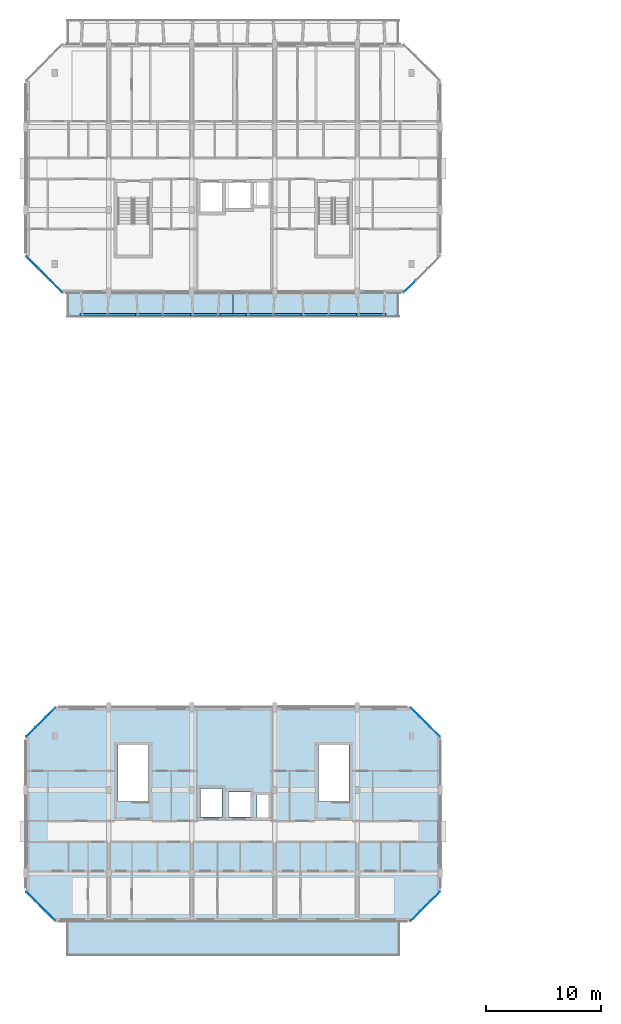
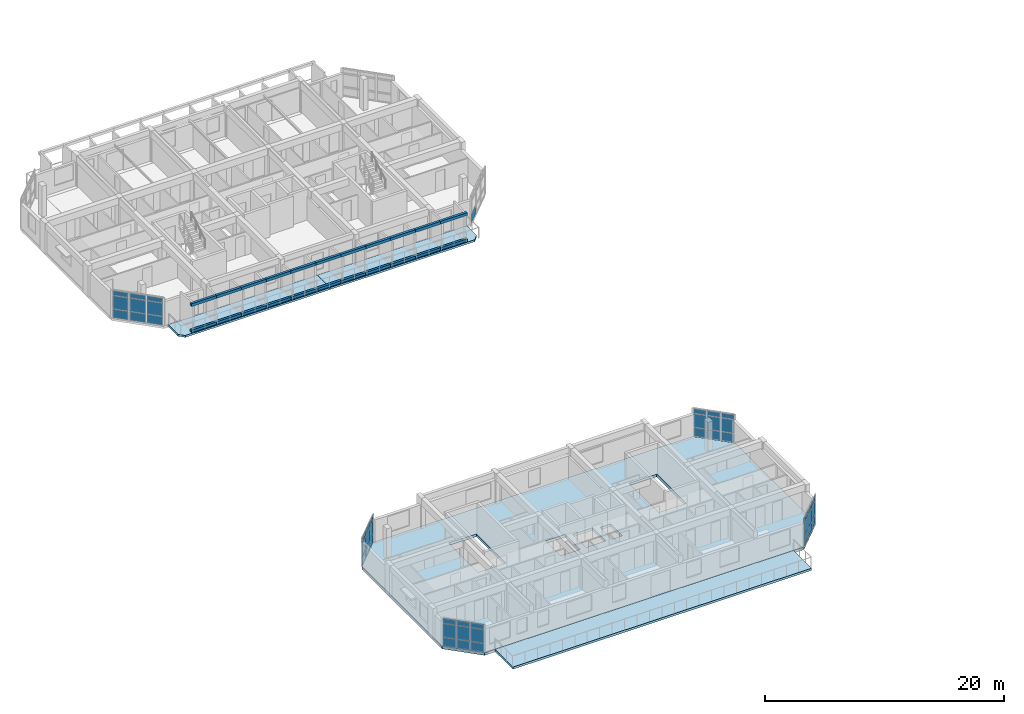
# One storey, part 11 of 40: 68 plates, 4 slabs, 6 elements without a shape of their own.
"""IFC4 building model written with IfcOpenShell, lengths in metres."""

from ifc_helpers import new_model, si_unit, direction, frame, origin, origin_2d, place, context, subcontext, project, spatial, polyline, rectangle, outline, extrude, material, layer, layer_set, type_object, element, aggregate, save


model = new_model("IFC4")

# Units and contexts
model_context = context("Model", 3, precision=1e-05, world=origin(), true_north=direction((0.0, 1.0)))
body_context = subcontext(model_context, "Body", "Model", "MODEL_VIEW")
ifc_project = project(units=[si_unit("LENGTHUNIT", "METRE"), si_unit("AREAUNIT", "SQUARE_METRE"), si_unit("VOLUMEUNIT", "CUBIC_METRE"), si_unit("PLANEANGLEUNIT", "RADIAN"), si_unit("MASSUNIT", "GRAM", prefix="KILO")], contexts=[model_context])

# Site, building, storey
site_placement = place(None, origin())
site = spatial("IfcSite", under=ifc_project, at=site_placement, CompositionType="ELEMENT")
building_placement = place(site_placement, origin())
building = spatial("IfcBuilding", under=site, at=building_placement, Name="Ochrevale Crest", CompositionType="ELEMENT")
storey_placement = place(building_placement, frame((0.0, 0.0, 27.60009765625)))
storey = spatial("IfcBuildingStorey", under=building, at=storey_placement, Name="L08", CompositionType="ELEMENT", Elevation=27.60009765625)

# Curtain wall, plates
ifc_material_1 = material(Name="Anodised aluminium 6063-T5", Category="aluminium")
ifc_layer_1 = layer(ifc_material_1, 0.14990234375)
ifc_layer_set_1 = layer_set([ifc_layer_1], Name="Anodised aluminium 6063-T5")
curtain_wall_type_1 = type_object("IfcCurtainWallType", Name="CW-WG-240x285", PredefinedType="NOTDEFINED", material=ifc_layer_set_1)
curtain_wall_1_placement = place(storey_placement, origin())
curtain_wall_1 = element("IfcCurtainWall", 1, at=curtain_wall_1_placement, inside=storey, type_object=curtain_wall_type_1, Name="Block A L08 chamfered corner wintergarden curtain wall 2", PredefinedType="NOTDEFINED")
ifc_material_2 = material(Name="Double-glazed low-E insulated glass unit", Category="glass")
ifc_layer_2 = layer(ifc_material_2, 0.028076171875)
ifc_layer_set_2 = layer_set([ifc_layer_2], Name="Double-glazed low-E insulated glass unit")
plate_type_1 = type_object("IfcPlateType", Name="CW-PNL-IGU28", PredefinedType="CURTAIN_PANEL", material=ifc_layer_set_2)
plate_1_placement = place(storey_placement, frame((33.8466796875, 17.8466796875, 0.06005859375), z_axis=(0.0, 0.0, 1.0), x_axis=(0.707106781187, 0.707106781187, 0.0)))
plate_1 = element("IfcPlate", 2, at=plate_1_placement, type_object=plate_type_1, Name="CW15 panel 1.1", PredefinedType="CURTAIN_PANEL", context=body_context, shape_type="SweptSolid", body=[
    extrude(rectangle(XDim=1.113037109375, YDim=0.028076171875, at=origin_2d()), origin(), (0.0, 0.0, 1.0), 0.860107421875),
])
plate_2_placement = place(storey_placement, frame((33.8466796875, 17.8466796875, 0.979736328125), z_axis=(0.0, 0.0, 1.0), x_axis=(0.707106781187, 0.707106781187, 0.0)))
plate_2 = element("IfcPlate", 3, at=plate_2_placement, type_object=plate_type_1, Name="CW15 panel 1.2", PredefinedType="CURTAIN_PANEL", context=body_context, shape_type="SweptSolid", body=[
    extrude(rectangle(XDim=1.113037109375, YDim=0.028076171875, at=origin_2d()), origin(), (0.0, 0.0, 1.0), 1.35009765625),
])
plate_3_placement = place(storey_placement, frame((33.8466796875, 17.8466796875, 2.389892578125), z_axis=(0.0, 0.0, 1.0), x_axis=(0.707106781187, 0.707106781187, 0.0)))
plate_3 = element("IfcPlate", 4, at=plate_3_placement, type_object=plate_type_1, Name="CW15 panel 1.3", PredefinedType="CURTAIN_PANEL", context=body_context, shape_type="SweptSolid", body=[
    extrude(rectangle(XDim=1.113037109375, YDim=0.028076171875, at=origin_2d()), origin(), (0.0, 0.0, 1.0), 0.4599609375),
])
plate_4_placement = place(storey_placement, frame((34.699951171875, 18.699951171875, 0.06005859375), z_axis=(0.0, 0.0, 1.0), x_axis=(0.707106781187, 0.707106781187, 0.0)))
plate_4 = element("IfcPlate", 5, at=plate_4_placement, type_object=plate_type_1, Name="CW15 panel 2.1", PredefinedType="CURTAIN_PANEL", context=body_context, shape_type="SweptSolid", body=[
    extrude(rectangle(XDim=1.150634765625, YDim=0.028076171875, at=origin_2d()), origin(), (0.0, 0.0, 1.0), 0.860107421875),
])
plate_5_placement = place(storey_placement, frame((34.699951171875, 18.699951171875, 0.979736328125), z_axis=(0.0, 0.0, 1.0), x_axis=(0.707106781187, 0.707106781187, 0.0)))
plate_5 = element("IfcPlate", 6, at=plate_5_placement, type_object=plate_type_1, Name="CW15 panel 2.2", PredefinedType="CURTAIN_PANEL", context=body_context, shape_type="SweptSolid", body=[
    extrude(rectangle(XDim=1.150634765625, YDim=0.028076171875, at=origin_2d()), origin(), (0.0, 0.0, 1.0), 1.35009765625),
])
plate_6_placement = place(storey_placement, frame((34.699951171875, 18.699951171875, 2.389892578125), z_axis=(0.0, 0.0, 1.0), x_axis=(0.707106781187, 0.707106781187, 0.0)))
plate_6 = element("IfcPlate", 7, at=plate_6_placement, type_object=plate_type_1, Name="CW15 panel 2.3", PredefinedType="CURTAIN_PANEL", context=body_context, shape_type="SweptSolid", body=[
    extrude(rectangle(XDim=1.150634765625, YDim=0.028076171875, at=origin_2d()), origin(), (0.0, 0.0, 1.0), 0.4599609375),
])
plate_7_placement = place(storey_placement, frame((35.553466796875, 19.553466796875, 0.06005859375), z_axis=(0.0, 0.0, 1.0), x_axis=(0.707106781187, 0.707106781187, 0.0)))
plate_7 = element("IfcPlate", 8, at=plate_7_placement, type_object=plate_type_1, Name="CW15 panel 3.1", PredefinedType="CURTAIN_PANEL", context=body_context, shape_type="SweptSolid", body=[
    extrude(rectangle(XDim=1.113037109375, YDim=0.028076171875, at=origin_2d()), origin(), (0.0, 0.0, 1.0), 0.860107421875),
])
plate_8_placement = place(storey_placement, frame((35.553466796875, 19.553466796875, 0.979736328125), z_axis=(0.0, 0.0, 1.0), x_axis=(0.707106781187, 0.707106781187, 0.0)))
plate_8 = element("IfcPlate", 9, at=plate_8_placement, type_object=plate_type_1, Name="CW15 panel 3.2", PredefinedType="CURTAIN_PANEL", context=body_context, shape_type="SweptSolid", body=[
    extrude(rectangle(XDim=1.113037109375, YDim=0.028076171875, at=origin_2d()), origin(), (0.0, 0.0, 1.0), 1.35009765625),
])
plate_9_placement = place(storey_placement, frame((35.553466796875, 19.553466796875, 2.389892578125), z_axis=(0.0, 0.0, 1.0), x_axis=(0.707106781187, 0.707106781187, 0.0)))
plate_9 = element("IfcPlate", 10, at=plate_9_placement, type_object=plate_type_1, Name="CW15 panel 3.3", PredefinedType="CURTAIN_PANEL", context=body_context, shape_type="SweptSolid", body=[
    extrude(rectangle(XDim=1.113037109375, YDim=0.028076171875, at=origin_2d()), origin(), (0.0, 0.0, 1.0), 0.4599609375),
])
aggregate(curtain_wall_1, [plate_1, plate_2, plate_3, plate_4, plate_5, plate_6, plate_7, plate_8, plate_9])

ifc_layer_3 = layer(ifc_material_1, 0.14990234375)
ifc_layer_set_3 = layer_set([ifc_layer_3], Name="Anodised aluminium 6063-T5")
curtain_wall_type_2 = type_object("IfcCurtainWallType", Name="CW-WG-320x285", PredefinedType="NOTDEFINED", material=ifc_layer_set_3)
curtain_wall_2_placement = place(storey_placement, origin())
curtain_wall_2 = element("IfcCurtainWall", 11, at=curtain_wall_2_placement, inside=storey, type_object=curtain_wall_type_2, Name="Block A L08 chamfered corner wintergarden curtain wall 4", PredefinedType="NOTDEFINED")
plate_10_placement = place(storey_placement, frame((35.553466796875, 33.8466796875, 0.06005859375), z_axis=(0.0, 0.0, 1.0), x_axis=(-0.707106781187, 0.707106781187, 0.0)))
plate_10 = element("IfcPlate", 12, at=plate_10_placement, type_object=plate_type_1, Name="CW17 panel 1.1", PredefinedType="CURTAIN_PANEL", context=body_context, shape_type="SweptSolid", body=[
    extrude(rectangle(XDim=1.113037109375, YDim=0.028076171875, at=origin_2d()), origin(), (0.0, 0.0, 1.0), 0.860107421875),
])
plate_11_placement = place(storey_placement, frame((35.553466796875, 33.8466796875, 0.979736328125), z_axis=(0.0, 0.0, 1.0), x_axis=(-0.707106781187, 0.707106781187, 0.0)))
plate_11 = element("IfcPlate", 13, at=plate_11_placement, type_object=plate_type_1, Name="CW17 panel 1.2", PredefinedType="CURTAIN_PANEL", context=body_context, shape_type="SweptSolid", body=[
    extrude(rectangle(XDim=1.113037109375, YDim=0.028076171875, at=origin_2d()), origin(), (0.0, 0.0, 1.0), 1.35009765625),
])
plate_12_placement = place(storey_placement, frame((35.553466796875, 33.8466796875, 2.389892578125), z_axis=(0.0, 0.0, 1.0), x_axis=(-0.707106781187, 0.707106781187, 0.0)))
plate_12 = element("IfcPlate", 14, at=plate_12_placement, type_object=plate_type_1, Name="CW17 panel 1.3", PredefinedType="CURTAIN_PANEL", context=body_context, shape_type="SweptSolid", body=[
    extrude(rectangle(XDim=1.113037109375, YDim=0.028076171875, at=origin_2d()), origin(), (0.0, 0.0, 1.0), 0.4599609375),
])
plate_13_placement = place(storey_placement, frame((34.699951171875, 34.699951171875, 0.06005859375), z_axis=(0.0, 0.0, 1.0), x_axis=(-0.707106781187, 0.707106781187, 0.0)))
plate_13 = element("IfcPlate", 15, at=plate_13_placement, type_object=plate_type_1, Name="CW17 panel 2.1", PredefinedType="CURTAIN_PANEL", context=body_context, shape_type="SweptSolid", body=[
    extrude(rectangle(XDim=1.150634765625, YDim=0.028076171875, at=origin_2d()), origin(), (0.0, 0.0, 1.0), 0.860107421875),
])
plate_14_placement = place(storey_placement, frame((34.699951171875, 34.699951171875, 0.979736328125), z_axis=(0.0, 0.0, 1.0), x_axis=(-0.707106781187, 0.707106781187, 0.0)))
plate_14 = element("IfcPlate", 16, at=plate_14_placement, type_object=plate_type_1, Name="CW17 panel 2.2", PredefinedType="CURTAIN_PANEL", context=body_context, shape_type="SweptSolid", body=[
    extrude(rectangle(XDim=1.150634765625, YDim=0.028076171875, at=origin_2d()), origin(), (0.0, 0.0, 1.0), 1.35009765625),
])
plate_15_placement = place(storey_placement, frame((34.699951171875, 34.699951171875, 2.389892578125), z_axis=(0.0, 0.0, 1.0), x_axis=(-0.707106781187, 0.707106781187, 0.0)))
plate_15 = element("IfcPlate", 17, at=plate_15_placement, type_object=plate_type_1, Name="CW17 panel 2.3", PredefinedType="CURTAIN_PANEL", context=body_context, shape_type="SweptSolid", body=[
    extrude(rectangle(XDim=1.150634765625, YDim=0.028076171875, at=origin_2d()), origin(), (0.0, 0.0, 1.0), 0.4599609375),
])
plate_16_placement = place(storey_placement, frame((33.8466796875, 35.553466796875, 0.06005859375), z_axis=(0.0, 0.0, 1.0), x_axis=(-0.707106781187, 0.707106781187, 0.0)))
plate_16 = element("IfcPlate", 18, at=plate_16_placement, type_object=plate_type_1, Name="CW17 panel 3.1", PredefinedType="CURTAIN_PANEL", context=body_context, shape_type="SweptSolid", body=[
    extrude(rectangle(XDim=1.113037109375, YDim=0.028076171875, at=origin_2d()), origin(), (0.0, 0.0, 1.0), 0.860107421875),
])
plate_17_placement = place(storey_placement, frame((33.8466796875, 35.553466796875, 0.979736328125), z_axis=(0.0, 0.0, 1.0), x_axis=(-0.707106781187, 0.707106781187, 0.0)))
plate_17 = element("IfcPlate", 19, at=plate_17_placement, type_object=plate_type_1, Name="CW17 panel 3.2", PredefinedType="CURTAIN_PANEL", context=body_context, shape_type="SweptSolid", body=[
    extrude(rectangle(XDim=1.113037109375, YDim=0.028076171875, at=origin_2d()), origin(), (0.0, 0.0, 1.0), 1.35009765625),
])
plate_18_placement = place(storey_placement, frame((33.8466796875, 35.553466796875, 2.389892578125), z_axis=(0.0, 0.0, 1.0), x_axis=(-0.707106781187, 0.707106781187, 0.0)))
plate_18 = element("IfcPlate", 20, at=plate_18_placement, type_object=plate_type_1, Name="CW17 panel 3.3", PredefinedType="CURTAIN_PANEL", context=body_context, shape_type="SweptSolid", body=[
    extrude(rectangle(XDim=1.113037109375, YDim=0.028076171875, at=origin_2d()), origin(), (0.0, 0.0, 1.0), 0.4599609375),
])
aggregate(curtain_wall_2, [plate_10, plate_11, plate_12, plate_13, plate_14, plate_15, plate_16, plate_17, plate_18])

ifc_layer_4 = layer(ifc_material_1, 0.14990234375)
ifc_layer_set_4 = layer_set([ifc_layer_4], Name="Anodised aluminium 6063-T5")
curtain_wall_type_3 = type_object("IfcCurtainWallType", Name="CW-WG-420x285", PredefinedType="NOTDEFINED", material=ifc_layer_set_4)
curtain_wall_3_placement = place(storey_placement, origin())
curtain_wall_3 = element("IfcCurtainWall", 21, at=curtain_wall_3_placement, inside=storey, type_object=curtain_wall_type_3, Name="Block A L08 chamfered corner wintergarden curtain wall 6", PredefinedType="NOTDEFINED")
plate_19_placement = place(storey_placement, frame((2.1533203125, 35.553466796875, 0.06005859375), z_axis=(0.0, 0.0, 1.0), x_axis=(-0.707106781187, -0.707106781187, 0.0)))
plate_19 = element("IfcPlate", 22, at=plate_19_placement, type_object=plate_type_1, Name="CW22 panel 1.1", PredefinedType="CURTAIN_PANEL", context=body_context, shape_type="SweptSolid", body=[
    extrude(rectangle(XDim=1.113037109375, YDim=0.028076171875, at=origin_2d()), origin(), (0.0, 0.0, 1.0), 0.860107421875),
])
plate_20_placement = place(storey_placement, frame((2.1533203125, 35.553466796875, 0.979736328125), z_axis=(0.0, 0.0, 1.0), x_axis=(-0.707106781187, -0.707106781187, 0.0)))
plate_20 = element("IfcPlate", 23, at=plate_20_placement, type_object=plate_type_1, Name="CW22 panel 1.2", PredefinedType="CURTAIN_PANEL", context=body_context, shape_type="SweptSolid", body=[
    extrude(rectangle(XDim=1.113037109375, YDim=0.028076171875, at=origin_2d()), origin(), (0.0, 0.0, 1.0), 1.35009765625),
])
plate_21_placement = place(storey_placement, frame((2.1533203125, 35.553466796875, 2.389892578125), z_axis=(0.0, 0.0, 1.0), x_axis=(-0.707106781187, -0.707106781187, 0.0)))
plate_21 = element("IfcPlate", 24, at=plate_21_placement, type_object=plate_type_1, Name="CW22 panel 1.3", PredefinedType="CURTAIN_PANEL", context=body_context, shape_type="SweptSolid", body=[
    extrude(rectangle(XDim=1.113037109375, YDim=0.028076171875, at=origin_2d()), origin(), (0.0, 0.0, 1.0), 0.4599609375),
])
plate_22_placement = place(storey_placement, frame((1.300048828125, 34.699951171875, 0.06005859375), z_axis=(0.0, 0.0, 1.0), x_axis=(-0.707106781187, -0.707106781187, 0.0)))
plate_22 = element("IfcPlate", 25, at=plate_22_placement, type_object=plate_type_1, Name="CW22 panel 2.1", PredefinedType="CURTAIN_PANEL", context=body_context, shape_type="SweptSolid", body=[
    extrude(rectangle(XDim=1.150634765625, YDim=0.028076171875, at=origin_2d()), origin(), (0.0, 0.0, 1.0), 0.860107421875),
])
plate_23_placement = place(storey_placement, frame((1.300048828125, 34.699951171875, 0.979736328125), z_axis=(0.0, 0.0, 1.0), x_axis=(-0.707106781187, -0.707106781187, 0.0)))
plate_23 = element("IfcPlate", 26, at=plate_23_placement, type_object=plate_type_1, Name="CW22 panel 2.2", PredefinedType="CURTAIN_PANEL", context=body_context, shape_type="SweptSolid", body=[
    extrude(rectangle(XDim=1.150634765625, YDim=0.028076171875, at=origin_2d()), origin(), (0.0, 0.0, 1.0), 1.35009765625),
])
plate_24_placement = place(storey_placement, frame((1.300048828125, 34.699951171875, 2.389892578125), z_axis=(0.0, 0.0, 1.0), x_axis=(-0.707106781187, -0.707106781187, 0.0)))
plate_24 = element("IfcPlate", 27, at=plate_24_placement, type_object=plate_type_1, Name="CW22 panel 2.3", PredefinedType="CURTAIN_PANEL", context=body_context, shape_type="SweptSolid", body=[
    extrude(rectangle(XDim=1.150634765625, YDim=0.028076171875, at=origin_2d()), origin(), (0.0, 0.0, 1.0), 0.4599609375),
])
plate_25_placement = place(storey_placement, frame((0.446533203125, 33.8466796875, 0.06005859375), z_axis=(0.0, 0.0, 1.0), x_axis=(-0.707106781187, -0.707106781187, 0.0)))
plate_25 = element("IfcPlate", 28, at=plate_25_placement, type_object=plate_type_1, Name="CW22 panel 3.1", PredefinedType="CURTAIN_PANEL", context=body_context, shape_type="SweptSolid", body=[
    extrude(rectangle(XDim=1.113037109375, YDim=0.028076171875, at=origin_2d()), origin(), (0.0, 0.0, 1.0), 0.860107421875),
])
plate_26_placement = place(storey_placement, frame((0.446533203125, 33.8466796875, 0.979736328125), z_axis=(0.0, 0.0, 1.0), x_axis=(-0.707106781187, -0.707106781187, 0.0)))
plate_26 = element("IfcPlate", 29, at=plate_26_placement, type_object=plate_type_1, Name="CW22 panel 3.2", PredefinedType="CURTAIN_PANEL", context=body_context, shape_type="SweptSolid", body=[
    extrude(rectangle(XDim=1.113037109375, YDim=0.028076171875, at=origin_2d()), origin(), (0.0, 0.0, 1.0), 1.35009765625),
])
plate_27_placement = place(storey_placement, frame((0.446533203125, 33.8466796875, 2.389892578125), z_axis=(0.0, 0.0, 1.0), x_axis=(-0.707106781187, -0.707106781187, 0.0)))
plate_27 = element("IfcPlate", 30, at=plate_27_placement, type_object=plate_type_1, Name="CW22 panel 3.3", PredefinedType="CURTAIN_PANEL", context=body_context, shape_type="SweptSolid", body=[
    extrude(rectangle(XDim=1.113037109375, YDim=0.028076171875, at=origin_2d()), origin(), (0.0, 0.0, 1.0), 0.4599609375),
])
aggregate(curtain_wall_3, [plate_19, plate_20, plate_21, plate_22, plate_23, plate_24, plate_25, plate_26, plate_27])

# Curtain wall, plate
curtain_wall_4_placement = place(storey_placement, origin())
curtain_wall_4 = element("IfcCurtainWall", 31, at=curtain_wall_4_placement, inside=storey, type_object=curtain_wall_type_1, Name="Block B L08 chamfered corner wintergarden curtain wall 2", PredefinedType="NOTDEFINED")
plate_28_placement = place(storey_placement, frame((33.3466796875, 72.546630859375, 0.06005859375), z_axis=(0.0, 0.0, 1.0), x_axis=(0.707106781187, 0.707106781187, 0.0)))
plate_28 = element("IfcPlate", 32, at=plate_28_placement, type_object=plate_type_1, Name="CW15 panel 1.1", PredefinedType="CURTAIN_PANEL", context=body_context, shape_type="SweptSolid", body=[
    extrude(rectangle(XDim=1.39599609375, YDim=0.028076171875, at=origin_2d()), origin(), (0.0, 0.0, 1.0), 0.860107421875),
])
aggregate(curtain_wall_4, [plate_28])

# Curtain wall, plates
ifc_layer_5 = layer(ifc_material_1, 0.14990234375)
ifc_layer_set_5 = layer_set([ifc_layer_5], Name="Anodised aluminium 6063-T5")
curtain_wall_type_4 = type_object("IfcCurtainWallType", Name="CW-WG-280x285", PredefinedType="NOTDEFINED", material=ifc_layer_set_5)
curtain_wall_5_placement = place(storey_placement, origin())
curtain_wall_5 = element("IfcCurtainWall", 33, at=curtain_wall_5_placement, inside=storey, type_object=curtain_wall_type_4, Name="Block A L08 chamfered corner wintergarden curtain wall 8", PredefinedType="NOTDEFINED")
ifc_material_3 = material(Name="Acoustic laminated low-E insulated glass unit", Category="glass")
ifc_layer_6 = layer(ifc_material_3, 0.0380859375)
ifc_layer_set_6 = layer_set([ifc_layer_6], Name="Acoustic laminated low-E insulated glass unit")
plate_type_2 = type_object("IfcPlateType", Name="CW-PNL-IGU38", PredefinedType="CURTAIN_PANEL", material=ifc_layer_set_6)
plate_29_placement = place(storey_placement, frame((0.446533203125, 19.553466796875, 0.06005859375), z_axis=(0.0, 0.0, 1.0), x_axis=(0.707106781187, -0.707106781187, 0.0)))
plate_29 = element("IfcPlate", 34, at=plate_29_placement, type_object=plate_type_2, Name="CW16 panel 1.1", PredefinedType="CURTAIN_PANEL", context=body_context, shape_type="SweptSolid", body=[
    extrude(rectangle(XDim=1.113037109375, YDim=0.0380859375, at=origin_2d()), origin(), (0.0, 0.0, 1.0), 0.860107421875),
])
plate_30_placement = place(storey_placement, frame((0.446533203125, 19.553466796875, 0.979736328125), z_axis=(0.0, 0.0, 1.0), x_axis=(0.707106781187, -0.707106781187, 0.0)))
plate_30 = element("IfcPlate", 35, at=plate_30_placement, type_object=plate_type_2, Name="CW16 panel 1.2", PredefinedType="CURTAIN_PANEL", context=body_context, shape_type="SweptSolid", body=[
    extrude(rectangle(XDim=1.113037109375, YDim=0.0380859375, at=origin_2d()), origin(), (0.0, 0.0, 1.0), 1.35009765625),
])
plate_31_placement = place(storey_placement, frame((0.446533203125, 19.553466796875, 2.389892578125), z_axis=(0.0, 0.0, 1.0), x_axis=(0.707106781187, -0.707106781187, 0.0)))
plate_31 = element("IfcPlate", 36, at=plate_31_placement, type_object=plate_type_2, Name="CW16 panel 1.3", PredefinedType="CURTAIN_PANEL", context=body_context, shape_type="SweptSolid", body=[
    extrude(rectangle(XDim=1.113037109375, YDim=0.0380859375, at=origin_2d()), origin(), (0.0, 0.0, 1.0), 0.4599609375),
])
plate_32_placement = place(storey_placement, frame((1.300048828125, 18.699951171875, 0.06005859375), z_axis=(0.0, 0.0, 1.0), x_axis=(0.707106781187, -0.707106781187, 0.0)))
plate_32 = element("IfcPlate", 37, at=plate_32_placement, type_object=plate_type_2, Name="CW16 panel 2.1", PredefinedType="CURTAIN_PANEL", context=body_context, shape_type="SweptSolid", body=[
    extrude(rectangle(XDim=1.150634765625, YDim=0.0380859375, at=origin_2d()), origin(), (0.0, 0.0, 1.0), 0.860107421875),
])
plate_33_placement = place(storey_placement, frame((1.300048828125, 18.699951171875, 0.979736328125), z_axis=(0.0, 0.0, 1.0), x_axis=(0.707106781187, -0.707106781187, 0.0)))
plate_33 = element("IfcPlate", 38, at=plate_33_placement, type_object=plate_type_2, Name="CW16 panel 2.2", PredefinedType="CURTAIN_PANEL", context=body_context, shape_type="SweptSolid", body=[
    extrude(rectangle(XDim=1.150634765625, YDim=0.0380859375, at=origin_2d()), origin(), (0.0, 0.0, 1.0), 1.35009765625),
])
plate_34_placement = place(storey_placement, frame((1.300048828125, 18.699951171875, 2.389892578125), z_axis=(0.0, 0.0, 1.0), x_axis=(0.707106781187, -0.707106781187, 0.0)))
plate_34 = element("IfcPlate", 39, at=plate_34_placement, type_object=plate_type_2, Name="CW16 panel 2.3", PredefinedType="CURTAIN_PANEL", context=body_context, shape_type="SweptSolid", body=[
    extrude(rectangle(XDim=1.150634765625, YDim=0.0380859375, at=origin_2d()), origin(), (0.0, 0.0, 1.0), 0.4599609375),
])
plate_35_placement = place(storey_placement, frame((2.1533203125, 17.8466796875, 0.06005859375), z_axis=(0.0, 0.0, 1.0), x_axis=(0.707106781187, -0.707106781187, 0.0)))
plate_35 = element("IfcPlate", 40, at=plate_35_placement, type_object=plate_type_2, Name="CW16 panel 3.1", PredefinedType="CURTAIN_PANEL", context=body_context, shape_type="SweptSolid", body=[
    extrude(rectangle(XDim=1.113037109375, YDim=0.0380859375, at=origin_2d()), origin(), (0.0, 0.0, 1.0), 0.860107421875),
])
plate_36_placement = place(storey_placement, frame((2.1533203125, 17.8466796875, 0.979736328125), z_axis=(0.0, 0.0, 1.0), x_axis=(0.707106781187, -0.707106781187, 0.0)))
plate_36 = element("IfcPlate", 41, at=plate_36_placement, type_object=plate_type_2, Name="CW16 panel 3.2", PredefinedType="CURTAIN_PANEL", context=body_context, shape_type="SweptSolid", body=[
    extrude(rectangle(XDim=1.113037109375, YDim=0.0380859375, at=origin_2d()), origin(), (0.0, 0.0, 1.0), 1.35009765625),
])
plate_37_placement = place(storey_placement, frame((2.1533203125, 17.8466796875, 2.389892578125), z_axis=(0.0, 0.0, 1.0), x_axis=(0.707106781187, -0.707106781187, 0.0)))
plate_37 = element("IfcPlate", 42, at=plate_37_placement, type_object=plate_type_2, Name="CW16 panel 3.3", PredefinedType="CURTAIN_PANEL", context=body_context, shape_type="SweptSolid", body=[
    extrude(rectangle(XDim=1.113037109375, YDim=0.0380859375, at=origin_2d()), origin(), (0.0, 0.0, 1.0), 0.4599609375),
])
aggregate(curtain_wall_5, [plate_29, plate_30, plate_31, plate_32, plate_33, plate_34, plate_35, plate_36, plate_37])

curtain_wall_6_placement = place(storey_placement, origin())
curtain_wall_6 = element("IfcCurtainWall", 43, at=curtain_wall_6_placement, inside=storey, type_object=curtain_wall_type_4, Name="Block B L08 chamfered corner wintergarden curtain wall 8", PredefinedType="NOTDEFINED")
plate_38_placement = place(storey_placement, frame((0.546630859375, 74.6533203125, 0.06005859375), z_axis=(0.0, 0.0, 1.0), x_axis=(0.707106781187, -0.707106781187, 0.0)))
plate_38 = element("IfcPlate", 44, at=plate_38_placement, type_object=plate_type_2, Name="CW16 panel 1.1", PredefinedType="CURTAIN_PANEL", context=body_context, shape_type="SweptSolid", body=[
    extrude(rectangle(XDim=1.39599609375, YDim=0.0380859375, at=origin_2d()), origin(), (0.0, 0.0, 1.0), 0.860107421875),
])
plate_39_placement = place(storey_placement, frame((0.546630859375, 74.6533203125, 0.97998046875), z_axis=(0.0, 0.0, 1.0), x_axis=(0.707106781187, -0.707106781187, 0.0)))
plate_39 = element("IfcPlate", 45, at=plate_39_placement, type_object=plate_type_2, Name="CW16 panel 1.2", PredefinedType="CURTAIN_PANEL", context=body_context, shape_type="SweptSolid", body=[
    extrude(rectangle(XDim=1.39599609375, YDim=0.0380859375, at=origin_2d()), origin(), (0.0, 0.0, 1.0), 1.31494140625),
])
plate_40_placement = place(storey_placement, frame((0.546630859375, 74.6533203125, 2.35498046875), z_axis=(0.0, 0.0, 1.0), x_axis=(0.707106781187, -0.707106781187, 0.0)))
plate_40 = element("IfcPlate", 46, at=plate_40_placement, type_object=plate_type_2, Name="CW16 panel 1.3", PredefinedType="CURTAIN_PANEL", context=body_context, shape_type="SweptSolid", body=[
    extrude(rectangle(XDim=1.39599609375, YDim=0.0380859375, at=origin_2d()), origin(), (0.0, 0.0, 1.0), 0.4599609375),
])
plate_41_placement = place(storey_placement, frame((1.60009765625, 73.60009765625, 0.06005859375), z_axis=(0.0, 0.0, 1.0), x_axis=(0.707106781187, -0.707106781187, 0.0)))
plate_41 = element("IfcPlate", 47, at=plate_41_placement, type_object=plate_type_2, Name="CW16 panel 2.1", PredefinedType="CURTAIN_PANEL", context=body_context, shape_type="SweptSolid", body=[
    extrude(rectangle(XDim=1.43359375, YDim=0.0380859375, at=origin_2d()), origin(), (0.0, 0.0, 1.0), 0.860107421875),
])
plate_42_placement = place(storey_placement, frame((1.60009765625, 73.60009765625, 0.97998046875), z_axis=(0.0, 0.0, 1.0), x_axis=(0.707106781187, -0.707106781187, 0.0)))
plate_42 = element("IfcPlate", 48, at=plate_42_placement, type_object=plate_type_2, Name="CW16 panel 2.2", PredefinedType="CURTAIN_PANEL", context=body_context, shape_type="SweptSolid", body=[
    extrude(rectangle(XDim=1.43359375, YDim=0.0380859375, at=origin_2d()), origin(), (0.0, 0.0, 1.0), 1.31494140625),
])
plate_43_placement = place(storey_placement, frame((1.60009765625, 73.60009765625, 2.35498046875), z_axis=(0.0, 0.0, 1.0), x_axis=(0.707106781187, -0.707106781187, 0.0)))
plate_43 = element("IfcPlate", 49, at=plate_43_placement, type_object=plate_type_2, Name="CW16 panel 2.3", PredefinedType="CURTAIN_PANEL", context=body_context, shape_type="SweptSolid", body=[
    extrude(rectangle(XDim=1.43359375, YDim=0.0380859375, at=origin_2d()), origin(), (0.0, 0.0, 1.0), 0.4599609375),
])
plate_44_placement = place(storey_placement, frame((2.6533203125, 72.546630859375, 0.06005859375), z_axis=(0.0, 0.0, 1.0), x_axis=(0.707106781187, -0.707106781187, 0.0)))
plate_44 = element("IfcPlate", 50, at=plate_44_placement, type_object=plate_type_2, Name="CW16 panel 3.1", PredefinedType="CURTAIN_PANEL", context=body_context, shape_type="SweptSolid", body=[
    extrude(rectangle(XDim=1.39599609375, YDim=0.0380859375, at=origin_2d()), origin(), (0.0, 0.0, 1.0), 0.860107421875),
])
plate_45_placement = place(storey_placement, frame((2.6533203125, 72.546630859375, 0.97998046875), z_axis=(0.0, 0.0, 1.0), x_axis=(0.707106781187, -0.707106781187, 0.0)))
plate_45 = element("IfcPlate", 51, at=plate_45_placement, type_object=plate_type_2, Name="CW16 panel 3.2", PredefinedType="CURTAIN_PANEL", context=body_context, shape_type="SweptSolid", body=[
    extrude(rectangle(XDim=1.39599609375, YDim=0.0380859375, at=origin_2d()), origin(), (0.0, 0.0, 1.0), 1.31494140625),
])
plate_46_placement = place(storey_placement, frame((2.6533203125, 72.546630859375, 2.35498046875), z_axis=(0.0, 0.0, 1.0), x_axis=(0.707106781187, -0.707106781187, 0.0)))
plate_46 = element("IfcPlate", 52, at=plate_46_placement, type_object=plate_type_2, Name="CW16 panel 3.3", PredefinedType="CURTAIN_PANEL", context=body_context, shape_type="SweptSolid", body=[
    extrude(rectangle(XDim=1.39599609375, YDim=0.0380859375, at=origin_2d()), origin(), (0.0, 0.0, 1.0), 0.4599609375),
])
aggregate(curtain_wall_6, [plate_38, plate_39, plate_40, plate_41, plate_42, plate_43, plate_44, plate_45, plate_46])

# Plates
ifc_material_4 = material(Name="Precast concrete C40/50", Category="concrete")
ifc_layer_7 = layer(ifc_material_4, 0.06005859375)
ifc_layer_set_7 = layer_set([ifc_layer_7], Name="Precast concrete C40/50")
plate_type_3 = type_object("IfcPlateType", Name="PLT-HC-HEAD-60", PredefinedType="USERDEFINED", material=ifc_layer_set_7)
for number, where, z_axis, x_axis, name in (
    (53, (6.0, 70.10009765625, 2.669921875), (0.0, 0.0, 1.0), (1.0, 0.0, 0.0), "Block B L08 S honeycomb arched lintel fascia 1"),
    (54, (8.39990234375, 70.10009765625, 2.669921875), (0.0, 0.0, 1.0), (1.0, 0.0, 0.0), "Block B L08 S honeycomb arched lintel fascia 2"),
    (55, (10.800048828125, 70.10009765625, 2.669921875), (0.0, 0.0, 1.0), (1.0, 0.0, 0.0), "Block B L08 S honeycomb arched lintel fascia 3"),
    (56, (13.199951171875, 70.10009765625, 2.669921875), (0.0, 0.0, 1.0), (1.0, 0.0, 0.0), "Block B L08 S honeycomb arched lintel fascia 4"),
    (57, (15.60009765625, 70.10009765625, 2.669921875), (0.0, 0.0, 1.0), (1.0, 0.0, 0.0), "Block B L08 S honeycomb arched lintel fascia 5"),
    (58, (18.0, 70.10009765625, 2.669921875), (0.0, 0.0, 1.0), (1.0, 0.0, 0.0), "Block B L08 S honeycomb arched lintel fascia 6"),
    (59, (20.39990234375, 70.10009765625, 2.669921875), (0.0, 0.0, 1.0), (1.0, 0.0, 0.0), "Block B L08 S honeycomb arched lintel fascia 7"),
    (60, (22.800048828125, 70.10009765625, 2.669921875), (0.0, 0.0, 1.0), (1.0, 0.0, 0.0), "Block B L08 S honeycomb arched lintel fascia 8"),
    (61, (25.199951171875, 70.10009765625, 2.669921875), (0.0, 0.0, 1.0), (1.0, 0.0, 0.0), "Block B L08 S honeycomb arched lintel fascia 9"),
    (62, (27.60009765625, 70.10009765625, 2.669921875), (0.0, 0.0, 1.0), (1.0, 0.0, 0.0), "Block B L08 S honeycomb arched lintel fascia 10"),
    (63, (30.0, 70.10009765625, 2.669921875), (0.0, 0.0, 1.0), (1.0, 0.0, 0.0), "Block B L08 S honeycomb arched lintel fascia 11"),
):
    element("IfcPlate", number, at=place(storey_placement, frame(where, z_axis=z_axis, x_axis=x_axis)), inside=storey, type_object=plate_type_3, Name=name, ObjectType="FACADE FASCIA PLATE", PredefinedType="USERDEFINED", context=body_context, shape_type="SweptSolid", body=[
        extrude(rectangle(XDim=2.60009765625, YDim=0.239990234375, at=origin_2d()), origin(), (0.0, 0.0, 1.0), 0.280029296875),
    ])
ifc_layer_8 = layer(ifc_material_4, 0.044921875)
ifc_layer_set_8 = layer_set([ifc_layer_8], Name="Precast concrete C40/50")
plate_type_4 = type_object("IfcPlateType", Name="PLT-HC-SILL-45", PredefinedType="USERDEFINED", material=ifc_layer_set_8)
for number, where, z_axis, x_axis, name in (
    (64, (6.0, 70.10009765625, 0.0), (0.0, 0.0, 1.0), (1.0, 0.0, 0.0), "Block B L08 S honeycomb sill coping plate 1"),
    (65, (8.39990234375, 70.10009765625, 0.0), (0.0, 0.0, 1.0), (1.0, 0.0, 0.0), "Block B L08 S honeycomb sill coping plate 2"),
    (66, (10.800048828125, 70.10009765625, 0.0), (0.0, 0.0, 1.0), (1.0, 0.0, 0.0), "Block B L08 S honeycomb sill coping plate 3"),
    (67, (13.199951171875, 70.10009765625, 0.0), (0.0, 0.0, 1.0), (1.0, 0.0, 0.0), "Block B L08 S honeycomb sill coping plate 4"),
    (68, (15.60009765625, 70.10009765625, 0.0), (0.0, 0.0, 1.0), (1.0, 0.0, 0.0), "Block B L08 S honeycomb sill coping plate 5"),
    (69, (18.0, 70.10009765625, 0.0), (0.0, 0.0, 1.0), (1.0, 0.0, 0.0), "Block B L08 S honeycomb sill coping plate 6"),
    (70, (20.39990234375, 70.10009765625, 0.0), (0.0, 0.0, 1.0), (1.0, 0.0, 0.0), "Block B L08 S honeycomb sill coping plate 7"),
    (71, (22.800048828125, 70.10009765625, 0.0), (0.0, 0.0, 1.0), (1.0, 0.0, 0.0), "Block B L08 S honeycomb sill coping plate 8"),
    (72, (25.199951171875, 70.10009765625, 0.0), (0.0, 0.0, 1.0), (1.0, 0.0, 0.0), "Block B L08 S honeycomb sill coping plate 9"),
    (73, (27.60009765625, 70.10009765625, 0.0), (0.0, 0.0, 1.0), (1.0, 0.0, 0.0), "Block B L08 S honeycomb sill coping plate 10"),
    (74, (30.0, 70.10009765625, 0.0), (0.0, 0.0, 1.0), (1.0, 0.0, 0.0), "Block B L08 S honeycomb sill coping plate 11"),
):
    element("IfcPlate", number, at=place(storey_placement, frame(where, z_axis=z_axis, x_axis=x_axis)), inside=storey, type_object=plate_type_4, Name=name, ObjectType="SILL COPING PLATE", PredefinedType="USERDEFINED", context=body_context, shape_type="SweptSolid", body=[
        extrude(rectangle(XDim=2.60009765625, YDim=0.219970703125, at=origin_2d()), origin(), (0.0, 0.0, 1.0), 0.260009765625),
    ])

# Slabs
ifc_layer_9 = layer(ifc_material_4, 0.199951171875)
ifc_layer_set_9 = layer_set([ifc_layer_9], Name="Precast concrete C40/50")
slab_type_1 = type_object("IfcSlabType", Name="SLB-BAL-200", PredefinedType="FLOOR", material=ifc_layer_set_9)
slab_1_placement = place(storey_placement, frame((0.0, 0.0, -0.2001953125)))
element("IfcSlab", 75, at=slab_1_placement, inside=storey, type_object=slab_type_1, Name="Block B L08 S1 precast loggia balcony slab", PredefinedType="FLOOR", context=body_context, shape_type="SweptSolid", body=[
    extrude(outline(polyline([(4.050048828125, 69.89990234375), (18.0, 69.89990234375), (18.0, 72.0), (3.60009765625, 72.0), (3.60009765625, 70.35009765625), (4.050048828125, 69.89990234375)])), origin(), (0.0, 0.0, 1.0), 0.2001953125),
])
slab_2_placement = place(storey_placement, frame((0.0, 0.0, -0.2001953125)))
element("IfcSlab", 76, at=slab_2_placement, inside=storey, type_object=slab_type_1, Name="Block B L08 S2 precast loggia balcony slab", PredefinedType="FLOOR", context=body_context, shape_type="SweptSolid", body=[
    extrude(outline(polyline([(18.0, 69.89990234375), (31.949951171875, 69.89990234375), (32.39990234375, 70.35009765625), (32.39990234375, 72.0), (18.0, 72.0), (18.0, 69.89990234375)])), origin(), (0.0, 0.0, 1.0), 0.2001953125),
])
ifc_layer_10 = layer(ifc_material_4, 0.27490234375)
ifc_layer_set_10 = layer_set([ifc_layer_10], Name="Precast concrete C40/50")
slab_type_2 = type_object("IfcSlabType", Name="SLB-RES-275", PredefinedType="FLOOR", material=ifc_layer_set_10)
slab_3_placement = place(storey_placement, frame((0.0, 0.0, -0.275146484375)))
element("IfcSlab", 77, at=slab_3_placement, inside=storey, type_object=slab_type_2, Name="Block A L08 composite hollowcore floor slab", PredefinedType="FLOOR", context=body_context, shape_type="SweptSolid", body=[
    extrude(outline(polyline([(2.60009765625, 17.39990234375), (33.39990234375, 17.39990234375), (36.0, 20.0), (36.0, 33.39990234375), (33.39990234375, 36.0), (2.60009765625, 36.0), (0.0, 33.39990234375), (0.0, 20.0), (2.60009765625, 17.39990234375)]), holes=[polyline([(10.64990234375, 27.824951171875), (10.64990234375, 32.72509765625), (8.0, 32.72509765625), (8.0, 27.824951171875), (10.64990234375, 27.824951171875)]), polyline([(28.050048828125, 27.824951171875), (28.050048828125, 32.72509765625), (25.39990234375, 32.72509765625), (25.39990234375, 27.824951171875), (28.050048828125, 27.824951171875)]), polyline([(15.14990234375, 26.449951171875), (17.050048828125, 26.449951171875), (17.050048828125, 28.949951171875), (15.14990234375, 28.949951171875), (15.14990234375, 26.449951171875)]), polyline([(17.60009765625, 26.449951171875), (19.5, 26.449951171875), (19.5, 28.64990234375), (17.60009765625, 28.64990234375), (17.60009765625, 26.449951171875)]), polyline([(20.070068359375, 26.419921875), (21.080078125, 26.419921875), (21.080078125, 28.3798828125), (20.070068359375, 28.3798828125), (20.070068359375, 26.419921875)])]), origin(), (0.0, 0.0, 1.0), 0.275146484375),
])
ifc_material_5 = material(Name="Concrete C40/50", Category="concrete")
ifc_layer_11 = layer(ifc_material_5, 0.22509765625)
ifc_layer_set_11 = layer_set([ifc_layer_11], Name="Concrete C40/50")
slab_type_3 = type_object("IfcSlabType", Name="SLB-TER-225", PredefinedType="FLOOR", material=ifc_layer_set_11)
slab_4_placement = place(storey_placement, frame((0.0, 0.0, -0.22509765625)))
element("IfcSlab", 78, at=slab_4_placement, inside=storey, type_object=slab_type_3, Name="Block A L08 stepped-back roof terrace slab", PredefinedType="FLOOR", context=body_context, shape_type="SweptSolid", body=[
    extrude(outline(polyline([(3.60009765625, 14.39990234375), (32.39990234375, 14.39990234375), (32.39990234375, 17.39990234375), (3.60009765625, 17.39990234375), (3.60009765625, 14.39990234375)])), origin(), (0.0, 0.0, 1.0), 0.22509765625),
])

save(model, "model.ifc")
